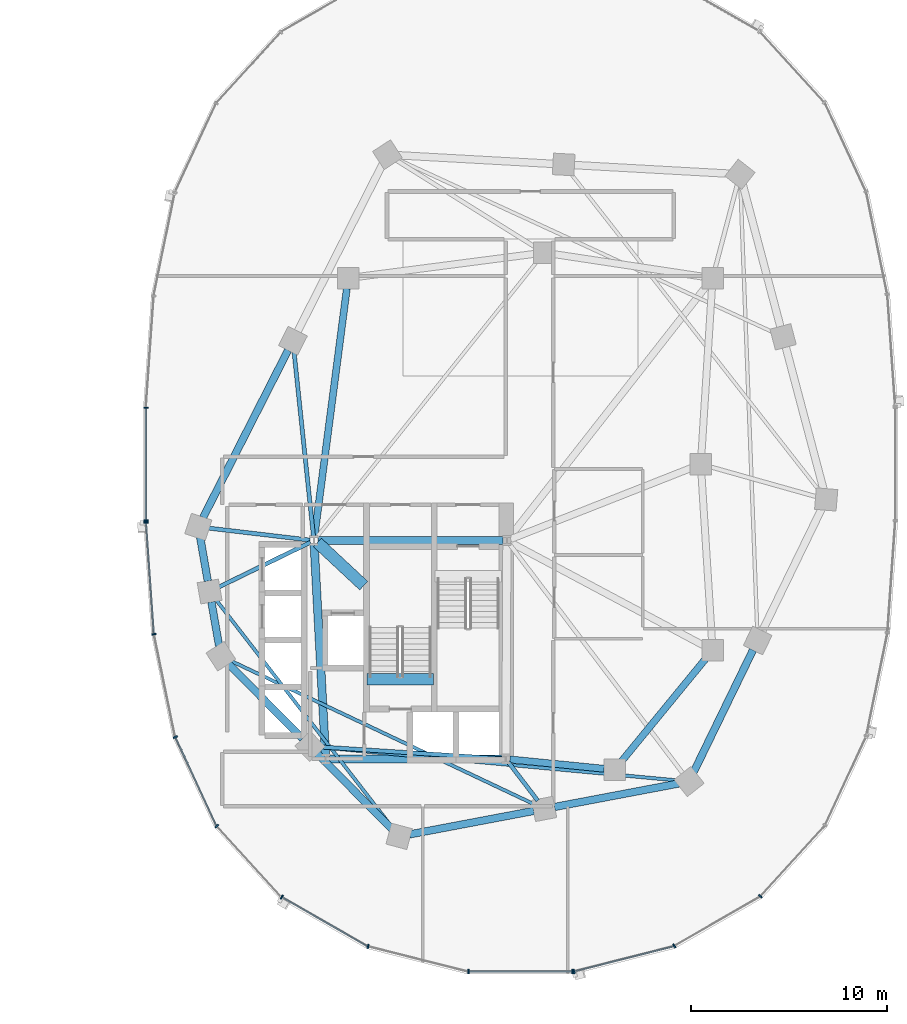
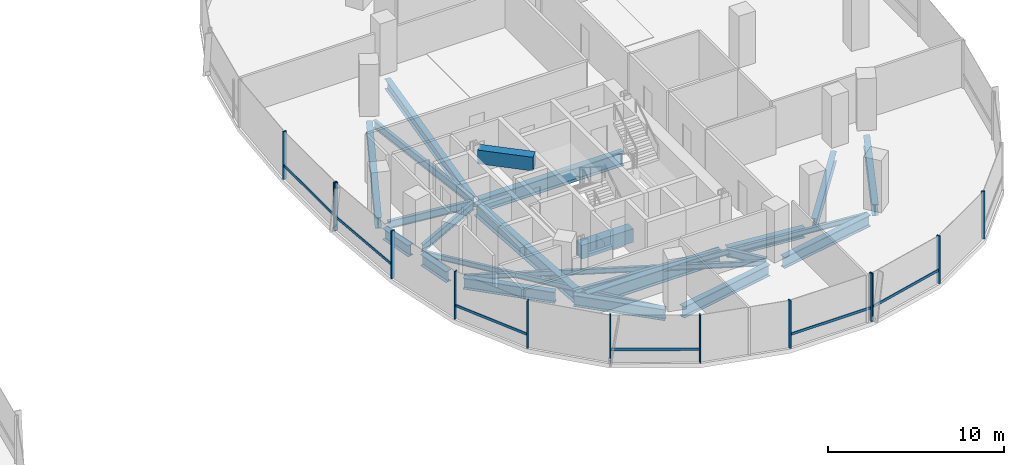
# One storey, part 5 of 21: 24 beams, 19 members, 3 elements without a shape of their own.
"""IFC4 building model written with IfcOpenShell, lengths in metres."""

import ifcopenshell
import ifcopenshell.guid

model = None  # the IFC model being written
_history = None  # IfcOwnerHistory: only IFC2X3 demands one
_inside = {}  # id of a spatial element -> (the spatial element, [elements in it])
_under = {}  # id of a project, library or spatial element -> (it, [spatial elements below it])
_declared = {}  # id of a project -> (the project, [libraries it declares])
_typed = {}  # id of a type object -> (the type object, [elements of that type])
_made_of = {}  # id of a material, layer set ... -> (it, [elements and type objects made of it])


def new_model(schema):
    """Start an empty IFC model of exactly this schema.

    Asked for "IFC4X3", IfcOpenShell would pick the latest addendum, in which some entities
    have other attributes; the version numbers below select the first issue.
    IFC2X3 requires an IfcOwnerHistory on every rooted entity: one is made here for all.
    """
    global model, _history
    if schema == "IFC4X3":
        model = ifcopenshell.file(schema_version=(4, 3, 0, 0))
    else:
        model = ifcopenshell.file(schema=schema)
    _inside.clear()
    _under.clear()
    _declared.clear()
    _typed.clear()
    _made_of.clear()
    _history = None
    if model.schema == "IFC2X3":
        org = make("IfcOrganization", Name="unknown")
        user = make(
            "IfcPersonAndOrganization",
            ThePerson=make("IfcPerson", FamilyName="unknown"),
            TheOrganization=org,
        )
        app = make(
            "IfcApplication",
            ApplicationDeveloper=org,
            Version="unknown",
            ApplicationFullName="unknown",
            ApplicationIdentifier="unknown",
        )
        _history = make(
            "IfcOwnerHistory",
            OwningUser=user,
            OwningApplication=app,
            ChangeAction="ADDED",
            CreationDate=0,
        )
    return model


def make(cls, **values):
    """One entity of the class cls with the attributes given. An attribute that is None is left unset."""
    return model.create_entity(
        cls, **{name: value for name, value in values.items() if value is not None}
    )


def rooted(cls, **values):
    """An entity with a GlobalId (a new one), such as an element, a storey or a relation."""
    return make(cls, GlobalId=ifcopenshell.guid.new(), OwnerHistory=_history, **values)


def si_unit(unit_type, name, prefix=None):
    """IfcSIUnit, for example si_unit("LENGTHUNIT", "METRE", prefix="MILLI")."""
    return make("IfcSIUnit", UnitType=unit_type, Prefix=prefix, Name=name)


def assignment(units):
    """IfcUnitAssignment: the units of a project."""
    return None if units is None else make("IfcUnitAssignment", Units=units)


def point(xyz):
    """IfcCartesianPoint."""
    return None if xyz is None else make("IfcCartesianPoint", Coordinates=xyz)


def direction(xyz):
    """IfcDirection."""
    return None if xyz is None else make("IfcDirection", DirectionRatios=xyz)


def frame(location, z_axis=None, x_axis=None):
    """IfcAxis2Placement3D, a coordinate frame: its origin and axes. An axis left out is left unset."""
    return make(
        "IfcAxis2Placement3D",
        Location=point(location),
        Axis=direction(z_axis),
        RefDirection=direction(x_axis),
    )


def frame_2d(location, x_axis=None):
    """IfcAxis2Placement2D, a coordinate frame in the plane: its origin and x axis."""
    return make(
        "IfcAxis2Placement2D", Location=point(location), RefDirection=direction(x_axis)
    )


def origin():
    """The frame at (0, 0, 0) with its axes left unset."""
    return frame((0.0, 0.0, 0.0))


def origin_2d():
    """The frame at (0, 0) in the plane with its x axis left unset."""
    return frame_2d((0.0, 0.0))


def place(relative_to, where):
    """IfcLocalPlacement: puts the frame where relative to a parent placement (None: the world)."""
    return make(
        "IfcLocalPlacement", PlacementRelTo=relative_to, RelativePlacement=where
    )


def context(
    kind, dimensions, precision=None, world=None, true_north=None, identifier=None
):
    """IfcGeometricRepresentationContext, for example the 3D "Model" context."""
    return make(
        "IfcGeometricRepresentationContext",
        ContextIdentifier=identifier,
        ContextType=kind,
        CoordinateSpaceDimension=dimensions,
        Precision=precision,
        WorldCoordinateSystem=world,
        TrueNorth=true_north,
    )


def subcontext(parent, identifier, kind, view, scale=None):
    """IfcGeometricRepresentationSubContext, for example "Body" below "Model"."""
    return make(
        "IfcGeometricRepresentationSubContext",
        ContextIdentifier=identifier,
        ContextType=kind,
        ParentContext=parent,
        TargetScale=scale,
        TargetView=view,
    )


def project(units=None, contexts=None):
    """IfcProject with its units and contexts."""
    return rooted(
        "IfcProject",
        Name="project",
        RepresentationContexts=contexts,
        UnitsInContext=assignment(units),
    )


def spatial(cls, under=None, at=None, **own):
    """A site, building, storey or space (cls), placed at a placement, below another one or the project."""
    s = rooted(cls, ObjectPlacement=at, **own)
    if under is not None:
        _under.setdefault(under.id(), (under, []))[1].append(s)
    return s


def profile(cls, at=None, kind="AREA", **sizes):
    """A parametric profile (cls). Its sizes go by their IFC names, for example OverallWidth=200.0."""
    return make(cls, ProfileType=kind, Position=at, **sizes)


def rectangle(**sizes):
    """IfcRectangleProfileDef."""
    return profile("IfcRectangleProfileDef", **sizes)


def i_section(**sizes):
    """IfcIShapeProfileDef."""
    return profile("IfcIShapeProfileDef", **sizes)


def extrude(swept, where, along, depth):
    """IfcExtrudedAreaSolid: the profile swept, set in the frame where, extruded along a direction by depth."""
    return make(
        "IfcExtrudedAreaSolid",
        SweptArea=swept,
        Position=where,
        ExtrudedDirection=direction(along),
        Depth=depth,
    )


def shape(context_of_items, identifier, shape_type, items):
    """IfcShapeRepresentation: the items that make up one representation, for example the "Body"."""
    return make(
        "IfcShapeRepresentation",
        ContextOfItems=context_of_items,
        RepresentationIdentifier=identifier,
        RepresentationType=shape_type,
        Items=items,
    )


def material(Name=None, Category=None):
    """IfcMaterial."""
    return make("IfcMaterial", Name=Name, Category=Category)


def material_profile(
    of_material, cross_section, Name=None, Category=None, Priority=None
):
    """IfcMaterialProfile: a cross section and its material."""
    return make(
        "IfcMaterialProfile",
        Name=Name,
        Material=of_material,
        Profile=cross_section,
        Priority=Priority,
        Category=Category,
    )


def profile_set(profiles, Name=None, composite=None):
    """IfcMaterialProfileSet."""
    return make(
        "IfcMaterialProfileSet",
        Name=Name,
        MaterialProfiles=profiles,
        CompositeProfile=composite,
    )


def made_of(thing, what):
    """Note that an element or type object is made of a material, layer set ...; save() writes the relation."""
    if what is not None:
        _made_of.setdefault(what.id(), (what, []))[1].append(thing)
    return thing


def type_object(cls, material=None, **own):
    """A type object (cls), such as IfcWallType, which elements share."""
    return made_of(rooted(cls, **own), material)


def element(
    cls,
    number,
    at=None,
    inside=None,
    cuts=None,
    type_object=None,
    material=None,
    context=None,
    identifier="Body",
    shape_type=None,
    held_by="IfcProductDefinitionShape",
    body=None,
    shapes=None,
    **own,
):
    """One element of the class cls, such as IfcWall. Its Tag is "e" and its number.

    at: its placement. inside: the storey or other place that contains it. cuts: it is an
    opening in that element (IfcRelVoidsElement). A single representation is given by context,
    identifier, shape_type and body (its items); several are given by shapes. held_by: the class
    of the entity that holds the representations. save() writes the other relations.
    """
    e = rooted(cls, Tag="e%d" % number, ObjectPlacement=at, **own)
    if body is not None:
        shapes = [shape(context, identifier, shape_type, body)]
    if shapes is not None:
        e.Representation = make(held_by, Representations=shapes)
    if inside is not None:
        _inside.setdefault(inside.id(), (inside, []))[1].append(e)
    if cuts is not None:
        rooted(
            "IfcRelVoidsElement", RelatingBuildingElement=cuts, RelatedOpeningElement=e
        )
    if type_object is not None:
        _typed.setdefault(type_object.id(), (type_object, []))[1].append(e)
    return made_of(e, material)


def aggregate(whole, parts):
    """IfcRelAggregates: a whole, such as a stair, and the parts it consists of."""
    return rooted("IfcRelAggregates", RelatingObject=whole, RelatedObjects=parts)


def save(model, path):
    """Write the relations noted so far, then the file.

    IfcRelAggregates (storeys below a building ...), IfcRelContainedInSpatialStructure (elements
    in a storey), IfcRelDefinesByType, IfcRelAssociatesMaterial and IfcRelDeclares: one each for
    every whole, place, type object, material and project.
    """
    for whole, parts in _under.values():
        aggregate(whole, parts)
    for where, things in _inside.values():
        rooted(
            "IfcRelContainedInSpatialStructure",
            RelatedElements=things,
            RelatingStructure=where,
        )
    for kind, things in _typed.values():
        rooted("IfcRelDefinesByType", RelatedObjects=things, RelatingType=kind)
    for what, things in _made_of.values():
        rooted("IfcRelAssociatesMaterial", RelatedObjects=things, RelatingMaterial=what)
    for by, libraries in _declared.values():
        rooted("IfcRelDeclares", RelatingContext=by, RelatedDefinitions=libraries)
    model.write(path)


model = new_model("IFC4")

# Units and contexts
model_context = context("Model", 3, precision=1e-05, world=origin(), true_north=direction((0.0, 1.0)))
body_context = subcontext(model_context, "Body", "Model", "MODEL_VIEW")
ifc_project = project(units=[si_unit("LENGTHUNIT", "METRE"), si_unit("AREAUNIT", "SQUARE_METRE"), si_unit("VOLUMEUNIT", "CUBIC_METRE"), si_unit("PLANEANGLEUNIT", "RADIAN"), si_unit("MASSUNIT", "GRAM", prefix="KILO"), si_unit("THERMODYNAMICTEMPERATUREUNIT", "KELVIN"), si_unit("POWERUNIT", "WATT")], contexts=[model_context])

# Site, building, storey
site_placement = place(None, origin())
site = spatial("IfcSite", under=ifc_project, at=site_placement, CompositionType="ELEMENT")
building_placement = place(site_placement, origin())
building = spatial("IfcBuilding", under=site, at=building_placement, Name="Cundina Bronze Exchange", CompositionType="ELEMENT")
storey_placement = place(building_placement, frame((0.0, 0.0, 103.39990234375)))
storey = spatial("IfcBuildingStorey", under=building, at=storey_placement, Name="L26", CompositionType="ELEMENT", Elevation=103.39990234375)

# Beams
ifc_material_1 = material(Name="Concrete C60/75", Category="concrete")
ifc_material_profile_1 = material_profile(ifc_material_1, rectangle(XDim=0.60009765625, YDim=0.949951171875, at=origin_2d()), Name="RC600X950", Category="concrete")
ifc_profile_set_1 = profile_set([ifc_material_profile_1], Name="Concrete C60/75")
beam_type_1 = type_object("IfcBeamType", Name="BM-COUP-RC950", PredefinedType="LINTEL", material=ifc_profile_set_1)
beam_1_placement = place(storey_placement, frame((24.159912109375, -10.97998046875, -0.474853515625), z_axis=(1.0, 0.0, 0.0), x_axis=(0.0, 1.0, 0.0)))
element("IfcBeam", 1, at=beam_1_placement, inside=storey, type_object=beam_type_1, Name="L26 Stair E2 Landing Header Beam", PredefinedType="LINTEL", context=body_context, shape_type="SweptSolid", body=[
    extrude(rectangle(XDim=0.60009765625, YDim=0.949951171875, at=origin_2d()), origin(), (0.0, 0.0, 1.0), 3.400146484375),
])
beam_2_placement = place(storey_placement, frame((21.6298828125, -4.0, 2.8251953125), z_axis=(0.731490439815, -0.681851696822, 0.0), x_axis=(0.681851696822, 0.731490439815, 0.0)))
element("IfcBeam", 2, at=beam_2_placement, inside=storey, type_object=beam_type_1, Name="L26 E Core Shear Coupling Lintel Beam", PredefinedType="LINTEL", context=body_context, shape_type="SweptSolid", body=[
    extrude(rectangle(XDim=0.60009765625, YDim=0.949951171875, at=origin_2d()), origin(), (0.0, 0.0, 1.0), 3.226318359375),
])
ifc_material_2 = material(Name="Steel ASTM A992 Grade 50", Category="steel")
ifc_material_profile_2 = material_profile(ifc_material_2, i_section(OverallWidth=0.2099609375, OverallDepth=0.532958984375, WebThickness=0.01025390625, FlangeThickness=0.015625, FilletRadius=0.013916015625, at=origin_2d()), Name="W21X62", Category="steel")
ifc_profile_set_2 = profile_set([ifc_material_profile_2], Name="Steel ASTM A992 Grade 50")
beam_type_2 = type_object("IfcBeamType", Name="BM-FLR-W21B", PredefinedType="BEAM", material=ifc_profile_set_2)
beam_3_placement = place(storey_placement, frame((21.247314453125, -3.8759765625, -0.56640625), z_axis=(-0.993035701683, 0.117813815752, 0.0), x_axis=(-0.117813815752, -0.993035701683, 0.0)))
element("IfcBeam", 3, at=beam_3_placement, inside=storey, type_object=beam_type_2, Name="L26 Leg E Chordal Floor Beam 00", PredefinedType="BEAM", context=body_context, shape_type="SweptSolid", body=[
    extrude(i_section(OverallWidth=0.2099609375, OverallDepth=0.532958984375, WebThickness=0.01025390625, FlangeThickness=0.015625, FilletRadius=0.013916015625, at=origin_2d()), origin(), (0.0, 0.0, 1.0), 5.19921875),
])
beam_4_placement = place(storey_placement, frame((21.2666015625, -3.989501953125, -0.56640625), z_axis=(-0.898607246385, -0.438753936443, 0.0), x_axis=(0.438753936443, -0.898607246385, 0.0)))
element("IfcBeam", 4, at=beam_4_placement, inside=storey, type_object=beam_type_2, Name="L26 Leg E Chordal Floor Beam 01", PredefinedType="BEAM", context=body_context, shape_type="SweptSolid", body=[
    extrude(i_section(OverallWidth=0.2099609375, OverallDepth=0.532958984375, WebThickness=0.01025390625, FlangeThickness=0.015625, FilletRadius=0.013916015625, at=origin_2d()), origin(), (0.0, 0.0, 1.0), 5.183837890625),
])
beam_5_placement = place(storey_placement, frame((31.04638671875, -15.036865234375, -0.56640625), z_axis=(-0.997892901568, 0.064882640211, 0.0), x_axis=(-0.064882640211, -0.997892901568, 0.0)))
element("IfcBeam", 5, at=beam_5_placement, inside=storey, type_object=beam_type_2, Name="L26 Leg E Chordal Floor Beam 03", PredefinedType="BEAM", context=body_context, shape_type="SweptSolid", body=[
    extrude(i_section(OverallWidth=0.2099609375, OverallDepth=0.532958984375, WebThickness=0.01025390625, FlangeThickness=0.015625, FilletRadius=0.013916015625, at=origin_2d()), origin(), (0.0, 0.0, 1.0), 9.279052734375),
])
beam_6_placement = place(storey_placement, frame((31.373779296875, -15.2119140625, -0.56640625), z_axis=(0.607490490457, -0.79432695032, 0.0), x_axis=(0.79432695032, 0.607490490457, 0.0)))
element("IfcBeam", 6, at=beam_6_placement, inside=storey, type_object=beam_type_2, Name="L26 Leg E Chordal Floor Beam 05", PredefinedType="BEAM", context=body_context, shape_type="SweptSolid", body=[
    extrude(i_section(OverallWidth=0.2099609375, OverallDepth=0.532958984375, WebThickness=0.01025390625, FlangeThickness=0.015625, FilletRadius=0.013916015625, at=origin_2d()), origin(), (0.0, 0.0, 1.0), 2.46826171875),
])
beam_7_placement = place(storey_placement, frame((21.4287109375, -3.697021484375, -0.56640625), z_axis=(-0.104822364957, 0.994490961148, 0.0), x_axis=(-0.994490961148, -0.104822364957, 0.0)))
element("IfcBeam", 7, at=beam_7_placement, inside=storey, type_object=beam_type_2, Name="L26 Leg E Chordal Floor Beam 13", PredefinedType="BEAM", context=body_context, shape_type="SweptSolid", body=[
    extrude(i_section(OverallWidth=0.2099609375, OverallDepth=0.532958984375, WebThickness=0.01025390625, FlangeThickness=0.015625, FilletRadius=0.013916015625, at=origin_2d()), origin(), (0.0, 0.0, 1.0), 9.514404296875),
])
ifc_material_profile_3 = material_profile(ifc_material_2, i_section(OverallWidth=0.172119140625, OverallDepth=0.35791015625, WebThickness=0.0078125, FlangeThickness=0.01318359375, FilletRadius=0.010009765625, at=origin_2d()), Name="W14X38", Category="steel")
ifc_profile_set_3 = profile_set([ifc_material_profile_3], Name="Steel ASTM A992 Grade 50")
beam_type_3 = type_object("IfcBeamType", Name="BM-JST-W14", PredefinedType="JOIST", material=ifc_profile_set_3)
beam_8_placement = place(storey_placement, frame((16.454345703125, -6.92529296875, -0.47900390625), z_axis=(0.612065218806, -0.790807288742, 0.0), x_axis=(0.790807288742, 0.612065218806, 0.0)))
element("IfcBeam", 8, at=beam_8_placement, inside=storey, type_object=beam_type_3, Name="L26 Leg E Lobe Floor Joist 01-04", PredefinedType="JOIST", context=body_context, shape_type="SweptSolid", body=[
    extrude(i_section(OverallWidth=0.172119140625, OverallDepth=0.35791015625, WebThickness=0.0078125, FlangeThickness=0.01318359375, FilletRadius=0.010009765625, at=origin_2d()), origin(), (0.0, 0.0, 1.0), 14.73095703125),
])
beam_9_placement = place(storey_placement, frame((17.186279296875, -10.02978515625, -0.47900390625), z_axis=(0.904069270633, -0.427385954259, 0.0), x_axis=(0.427385954259, 0.904069270633, 0.0)))
element("IfcBeam", 9, at=beam_9_placement, inside=storey, type_object=beam_type_3, Name="L26 Leg E Lobe Floor Joist 02-05", PredefinedType="JOIST", context=body_context, shape_type="SweptSolid", body=[
    extrude(i_section(OverallWidth=0.172119140625, OverallDepth=0.35791015625, WebThickness=0.0078125, FlangeThickness=0.01318359375, FilletRadius=0.010009765625, at=origin_2d()), origin(), (0.0, 0.0, 1.0), 17.175048828125),
])
beam_10_placement = place(storey_placement, frame((21.78564453125, -14.44970703125, -0.47900390625), z_axis=(0.995700674022, -0.092629194921, 0.0), x_axis=(0.092629194921, 0.995700674022, 0.0)))
element("IfcBeam", 10, at=beam_10_placement, inside=storey, type_object=beam_type_3, Name="L26 Leg E Lobe Floor Joist 03-06", PredefinedType="JOIST", context=body_context, shape_type="SweptSolid", body=[
    extrude(i_section(OverallWidth=0.172119140625, OverallDepth=0.35791015625, WebThickness=0.0078125, FlangeThickness=0.01318359375, FilletRadius=0.010009765625, at=origin_2d()), origin(), (0.0, 0.0, 1.0), 18.357421875),
])
ifc_material_profile_4 = material_profile(ifc_material_2, i_section(OverallWidth=0.35498046875, OverallDepth=0.695068359375, WebThickness=0.015380859375, FlangeThickness=0.02490234375, FilletRadius=0.01806640625, at=origin_2d()), Name="W27X146", Category="steel")
ifc_profile_set_4 = profile_set([ifc_material_profile_4], Name="Steel ASTM A992 Grade 50")
beam_type_4 = type_object("IfcBeamType", Name="BM-RING-W27", PredefinedType="USERDEFINED", material=ifc_profile_set_4)
beam_11_placement = place(storey_placement, frame((31.452880859375, -15.070068359375, -0.6474609375), z_axis=(0.995126271817, -0.098608839051, 0.0), x_axis=(0.098608839051, 0.995126271817, 0.0)))
element("IfcBeam", 11, at=beam_11_placement, inside=storey, type_object=beam_type_4, Name="L26 E Inner Structural Ring Girder 01", ObjectType="GIRDER", PredefinedType="USERDEFINED", context=body_context, shape_type="SweptSolid", body=[
    extrude(i_section(OverallWidth=0.35498046875, OverallDepth=0.695068359375, WebThickness=0.015380859375, FlangeThickness=0.02490234375, FilletRadius=0.01806640625, at=origin_2d()), origin(), (0.0, 0.0, 1.0), 4.83544921875),
])
beam_12_placement = place(storey_placement, frame((37.14111328125, -15.183837890625, -0.6474609375), z_axis=(0.633926549035, 0.773393257295, 0.0), x_axis=(-0.773393257295, 0.633926549035, 0.0)))
element("IfcBeam", 12, at=beam_12_placement, inside=storey, type_object=beam_type_4, Name="L26 E Inner Structural Ring Girder 02", ObjectType="GIRDER", PredefinedType="USERDEFINED", context=body_context, shape_type="SweptSolid", body=[
    extrude(i_section(OverallWidth=0.35498046875, OverallDepth=0.695068359375, WebThickness=0.015380859375, FlangeThickness=0.02490234375, FilletRadius=0.01806640625, at=origin_2d()), origin(), (0.0, 0.0, 1.0), 6.811279296875),
])
beam_13_placement = place(storey_placement, frame((23.13037109375, 8.966552734375, -0.6474609375), z_axis=(-0.129507526533, -0.99157843894, 0.0), x_axis=(0.99157843894, -0.129507526533, 0.0)))
element("IfcBeam", 13, at=beam_13_placement, inside=storey, type_object=beam_type_4, Name="L26 E Inner Structural Ring Girder 07", ObjectType="GIRDER", PredefinedType="USERDEFINED", context=body_context, shape_type="SweptSolid", body=[
    extrude(i_section(OverallWidth=0.35498046875, OverallDepth=0.695068359375, WebThickness=0.015380859375, FlangeThickness=0.02490234375, FilletRadius=0.01806640625, at=origin_2d()), origin(), (0.0, 0.0, 1.0), 12.77197265625),
])
ifc_material_profile_5 = material_profile(ifc_material_2, i_section(OverallWidth=0.381103515625, OverallDepth=0.77294921875, WebThickness=0.0166015625, FlangeThickness=0.027099609375, FilletRadius=0.01904296875, at=origin_2d()), Name="W30X173", Category="steel")
ifc_profile_set_5 = profile_set([ifc_material_profile_5], Name="Steel ASTM A992 Grade 50")
beam_type_5 = type_object("IfcBeamType", Name="BM-RING-W30", PredefinedType="USERDEFINED", material=ifc_profile_set_5)
for number, where, z_axis, x_axis, name in (
    (14, (15.642333984375, -3.72998046875, -0.6865234375), (0.171690078326, -0.985151012284, 0.0), (0.985151012284, 0.171690078326, 0.0), "L26 E Perimeter Ring Girder 00"),
    (15, (16.21728515625, -7.030029296875, -0.6865234375), (0.171690078326, -0.985151012284, 0.0), (0.985151012284, 0.171690078326, 0.0), "L26 E Perimeter Ring Girder 01"),
):
    element("IfcBeam", number, at=place(storey_placement, frame(where, z_axis=z_axis, x_axis=x_axis)), inside=storey, type_object=beam_type_5, Name=name, ObjectType="GIRDER", PredefinedType="USERDEFINED", context=body_context, shape_type="SweptSolid", body=[
        extrude(i_section(OverallWidth=0.381103515625, OverallDepth=0.77294921875, WebThickness=0.0166015625, FlangeThickness=0.027099609375, FilletRadius=0.01904296875, at=origin_2d()), origin(), (0.0, 0.0, 1.0), 2.273681640625),
    ])
for number, where, z_axis, x_axis, name in (
    (16, (17.078369140625, -10.1826171875, -0.6865234375), (0.703226342126, -0.7109660412, 0.0), (0.7109660412, 0.703226342126, 0.0), "L26 E Perimeter Ring Girder 02"),
    (17, (21.62841796875, -14.782470703125, -0.6865234375), (0.703226342126, -0.7109660412, 0.0), (0.7109660412, 0.703226342126, 0.0), "L26 E Perimeter Ring Girder 03"),
):
    element("IfcBeam", number, at=place(storey_placement, frame(where, z_axis=z_axis, x_axis=x_axis)), inside=storey, type_object=beam_type_5, Name=name, ObjectType="GIRDER", PredefinedType="USERDEFINED", context=body_context, shape_type="SweptSolid", body=[
        extrude(i_section(OverallWidth=0.381103515625, OverallDepth=0.77294921875, WebThickness=0.0166015625, FlangeThickness=0.027099609375, FilletRadius=0.01904296875, at=origin_2d()), origin(), (0.0, 0.0, 1.0), 5.39404296875),
    ])
for number, where, z_axis, x_axis, name in (
    (18, (26.32861328125, -18.89990234375, -0.6865234375), (0.98257117919, 0.185886733861, 0.0), (-0.185886733861, 0.98257117919, 0.0), "L26 E Perimeter Ring Girder 04"),
    (19, (33.728515625, -17.5, -0.6865234375), (0.98257117919, 0.185886733861, 0.0), (-0.185886733861, 0.98257117919, 0.0), "L26 E Perimeter Ring Girder 05"),
):
    element("IfcBeam", number, at=place(storey_placement, frame(where, z_axis=z_axis, x_axis=x_axis)), inside=storey, type_object=beam_type_5, Name=name, ObjectType="GIRDER", PredefinedType="USERDEFINED", context=body_context, shape_type="SweptSolid", body=[
        extrude(i_section(OverallWidth=0.381103515625, OverallDepth=0.77294921875, WebThickness=0.0166015625, FlangeThickness=0.027099609375, FilletRadius=0.01904296875, at=origin_2d()), origin(), (0.0, 0.0, 1.0), 6.455322265625),
    ])
beam_14_placement = place(storey_placement, frame((40.835205078125, -15.716064453125, -0.6865234375), z_axis=(0.437193894283, 0.899367276924, 0.0), x_axis=(-0.899367276924, 0.437193894283, 0.0)))
element("IfcBeam", 20, at=beam_14_placement, inside=storey, type_object=beam_type_5, Name="L26 E Perimeter Ring Girder 06", ObjectType="GIRDER", PredefinedType="USERDEFINED", context=body_context, shape_type="SweptSolid", body=[
    extrude(i_section(OverallWidth=0.381103515625, OverallDepth=0.77294921875, WebThickness=0.0166015625, FlangeThickness=0.027099609375, FilletRadius=0.01904296875, at=origin_2d()), origin(), (0.0, 0.0, 1.0), 6.929443359375),
])
beam_15_placement = place(storey_placement, frame((20.13134765625, 5.8203125, -0.6865234375), z_axis=(-0.452832332744, -0.891595692241, 0.0), x_axis=(0.891595692241, -0.452832332744, 0.0)))
element("IfcBeam", 21, at=beam_15_placement, inside=storey, type_object=beam_type_5, Name="L26 E Perimeter Ring Girder 13", ObjectType="GIRDER", PredefinedType="USERDEFINED", context=body_context, shape_type="SweptSolid", body=[
    extrude(i_section(OverallWidth=0.381103515625, OverallDepth=0.77294921875, WebThickness=0.0166015625, FlangeThickness=0.027099609375, FilletRadius=0.01904296875, at=origin_2d()), origin(), (0.0, 0.0, 1.0), 9.578857421875),
])
ifc_material_profile_6 = material_profile(ifc_material_2, i_section(OverallWidth=0.41796875, OverallDepth=0.927001953125, WebThickness=0.019287109375, FlangeThickness=0.031982421875, FilletRadius=0.02392578125, at=origin_2d()), Name="W36X231", Category="steel")
ifc_profile_set_6 = profile_set([ifc_material_profile_6], Name="Steel ASTM A992 Grade 50")
beam_type_6 = type_object("IfcBeamType", Name="BM-WRN-W36B", PredefinedType="USERDEFINED", material=ifc_profile_set_6)
beam_16_placement = place(storey_placement, frame((31.095947265625, -3.89990234375, -0.763427734375), z_axis=(-1.0, 0.0, 0.0), x_axis=(0.0, -1.0, 0.0)))
element("IfcBeam", 22, at=beam_16_placement, inside=storey, type_object=beam_type_6, Name="L26 E Core Perimeter Tie Girder 1", ObjectType="GIRDER", PredefinedType="USERDEFINED", context=body_context, shape_type="SweptSolid", body=[
    extrude(i_section(OverallWidth=0.41796875, OverallDepth=0.927001953125, WebThickness=0.019287109375, FlangeThickness=0.031982421875, FilletRadius=0.02392578125, at=origin_2d()), origin(), (0.0, 0.0, 1.0), 9.44189453125),
])
beam_17_placement = place(storey_placement, frame((21.4609375, -4.103759765625, -0.763427734375), z_axis=(0.053739193498, -0.998555005537, 0.0), x_axis=(0.998555005537, 0.053739193498, 0.0)))
element("IfcBeam", 23, at=beam_17_placement, inside=storey, type_object=beam_type_6, Name="L26 E Core Perimeter Tie Girder 2", ObjectType="GIRDER", PredefinedType="USERDEFINED", context=body_context, shape_type="SweptSolid", body=[
    extrude(i_section(OverallWidth=0.41796875, OverallDepth=0.927001953125, WebThickness=0.019287109375, FlangeThickness=0.031982421875, FilletRadius=0.02392578125, at=origin_2d()), origin(), (0.0, 0.0, 1.0), 10.758056640625),
])
beam_18_placement = place(storey_placement, frame((22.25390625, -15.050048828125, -0.763427734375), z_axis=(1.0, 0.0, 0.0), x_axis=(0.0, 1.0, 0.0)))
element("IfcBeam", 24, at=beam_18_placement, inside=storey, type_object=beam_type_6, Name="L26 E Core Perimeter Tie Girder 3", ObjectType="GIRDER", PredefinedType="USERDEFINED", context=body_context, shape_type="SweptSolid", body=[
    extrude(i_section(OverallWidth=0.41796875, OverallDepth=0.927001953125, WebThickness=0.019287109375, FlangeThickness=0.031982421875, FilletRadius=0.02392578125, at=origin_2d()), origin(), (0.0, 0.0, 1.0), 8.7919921875),
])

# Curtain wall, members
ifc_material_3 = material(Name="Anodised Bronze Aluminium 6063-T6", Category="aluminium")
curtain_wall_type = type_object("IfcCurtainWallType", Name="CWS-TRD-MID", PredefinedType="NOTDEFINED", material=ifc_material_3)
curtain_wall_1_placement = place(storey_placement, origin())
curtain_wall_1 = element("IfcCurtainWall", 25, at=curtain_wall_1_placement, inside=storey, type_object=curtain_wall_type, Name="L26 CW-03 Curtain Wall Run CWR-L26-E2", PredefinedType="NOTDEFINED")
ifc_material_profile_7 = material_profile(ifc_material_3, rectangle(XDim=0.074951171875, YDim=0.219970703125, at=origin_2d()), Name="AL75X220", Category="aluminium")
ifc_profile_set_7 = profile_set([ifc_material_profile_7], Name="Anodised Bronze Aluminium 6063-T6")
member_type_1 = type_object("IfcMemberType", Name="CWM-MUL-220", PredefinedType="MULLION", material=ifc_profile_set_7)
member_1_placement = place(storey_placement, frame((12.8720703125, 2.880615234375, 0.0), z_axis=(0.0, 0.0, 1.0), x_axis=(0.0, -1.0, 0.0)))
member_1 = element("IfcMember", 26, at=member_1_placement, type_object=member_type_1, Name="CW-03 Mullion 7", PredefinedType="MULLION", context=body_context, shape_type="SweptSolid", body=[
    extrude(rectangle(XDim=0.074951171875, YDim=0.219970703125, at=origin_2d()), origin(), (0.0, 0.0, 1.0), 3.300048828125),
])
member_2_placement = place(storey_placement, frame((12.8720703125, -2.880615234375, 0.0), z_axis=(0.0, 0.0, 1.0), x_axis=(0.0, -1.0, 0.0)))
member_2 = element("IfcMember", 27, at=member_2_placement, type_object=member_type_1, Name="CW-03 End Mullion", PredefinedType="MULLION", context=body_context, shape_type="SweptSolid", body=[
    extrude(rectangle(XDim=0.074951171875, YDim=0.219970703125, at=origin_2d()), origin(), (0.0, 0.0, 1.0), 3.300048828125),
])

curtain_wall_2_placement = place(storey_placement, origin())
curtain_wall_2 = element("IfcCurtainWall", 28, at=curtain_wall_2_placement, inside=storey, type_object=curtain_wall_type, Name="L26 CW-03 Curtain Wall Run CWR-L26-E3", PredefinedType="NOTDEFINED")
member_3_placement = place(storey_placement, frame((12.87548828125, -2.976318359375, 0.0), z_axis=(0.0, 0.0, 1.0), x_axis=(0.070278787473, -0.997527389113, 0.0)))
member_3 = element("IfcMember", 29, at=member_3_placement, type_object=member_type_1, Name="CW-03 Mullion 1", PredefinedType="MULLION", context=body_context, shape_type="SweptSolid", body=[
    extrude(rectangle(XDim=0.074951171875, YDim=0.219970703125, at=origin_2d()), origin(), (0.0, 0.0, 1.0), 3.300048828125),
])
member_4_placement = place(storey_placement, frame((13.282958984375, -8.67822265625, 0.0), z_axis=(0.0, 0.0, 1.0), x_axis=(0.201419845156, -0.979505000486, 0.0)))
member_4 = element("IfcMember", 30, at=member_4_placement, type_object=member_type_1, Name="CW-03 Mullion 2", PredefinedType="MULLION", context=body_context, shape_type="SweptSolid", body=[
    extrude(rectangle(XDim=0.074951171875, YDim=0.219970703125, at=origin_2d()), origin(), (0.0, 0.0, 1.0), 3.300048828125),
])
member_5_placement = place(storey_placement, frame((14.3720703125, -13.931884765625, 0.0), z_axis=(0.0, 0.0, 1.0), x_axis=(0.42087749791, -0.907117485088, 0.0)))
member_5 = element("IfcMember", 31, at=member_5_placement, type_object=member_type_1, Name="CW-03 Mullion 3", PredefinedType="MULLION", context=body_context, shape_type="SweptSolid", body=[
    extrude(rectangle(XDim=0.074951171875, YDim=0.219970703125, at=origin_2d()), origin(), (0.0, 0.0, 1.0), 3.300048828125),
])
member_6_placement = place(storey_placement, frame((16.491455078125, -18.47705078125, 0.0), z_axis=(0.0, 0.0, 1.0), x_axis=(0.674302387584, -0.738455340626, 0.0)))
member_6 = element("IfcMember", 32, at=member_6_placement, type_object=member_type_1, Name="CW-03 Mullion 4", PredefinedType="MULLION", context=body_context, shape_type="SweptSolid", body=[
    extrude(rectangle(XDim=0.074951171875, YDim=0.219970703125, at=origin_2d()), origin(), (0.0, 0.0, 1.0), 3.300048828125),
])
member_7_placement = place(storey_placement, frame((19.810302734375, -22.097412109375, 0.0), z_axis=(0.0, 0.0, 1.0), x_axis=(0.867070701164, -0.498185105339, 0.0)))
member_7 = element("IfcMember", 33, at=member_7_placement, type_object=member_type_1, Name="CW-03 Mullion 5", PredefinedType="MULLION", context=body_context, shape_type="SweptSolid", body=[
    extrude(rectangle(XDim=0.074951171875, YDim=0.219970703125, at=origin_2d()), origin(), (0.0, 0.0, 1.0), 3.300048828125),
])
member_8_placement = place(storey_placement, frame((24.21484375, -24.61669921875, 0.0), z_axis=(0.0, 0.0, 1.0), x_axis=(0.969488149345, -0.245138182011, 0.0)))
member_8 = element("IfcMember", 34, at=member_8_placement, type_object=member_type_1, Name="CW-03 Mullion 6", PredefinedType="MULLION", context=body_context, shape_type="SweptSolid", body=[
    extrude(rectangle(XDim=0.074951171875, YDim=0.219970703125, at=origin_2d()), origin(), (0.0, 0.0, 1.0), 3.300048828125),
])
member_9_placement = place(storey_placement, frame((29.345458984375, -25.905029296875, 0.0), z_axis=(0.0, 0.0, 1.0), x_axis=(1.0, 0.0, 0.0)))
member_9 = element("IfcMember", 35, at=member_9_placement, type_object=member_type_1, Name="CW-03 Mullion 7", PredefinedType="MULLION", context=body_context, shape_type="SweptSolid", body=[
    extrude(rectangle(XDim=0.074951171875, YDim=0.219970703125, at=origin_2d()), origin(), (0.0, 0.0, 1.0), 3.300048828125),
])
member_10_placement = place(storey_placement, frame((34.654541015625, -25.905029296875, 0.0), z_axis=(0.0, 0.0, 1.0), x_axis=(1.0, 0.0, 0.0)))
member_10 = element("IfcMember", 36, at=member_10_placement, type_object=member_type_1, Name="CW-03 End Mullion", PredefinedType="MULLION", context=body_context, shape_type="SweptSolid", body=[
    extrude(rectangle(XDim=0.074951171875, YDim=0.219970703125, at=origin_2d()), origin(), (0.0, 0.0, 1.0), 3.300048828125),
])

curtain_wall_3_placement = place(storey_placement, origin())
curtain_wall_3 = element("IfcCurtainWall", 37, at=curtain_wall_3_placement, inside=storey, type_object=curtain_wall_type, Name="L26 CW-03 Curtain Wall Run CWR-L26-E4", PredefinedType="NOTDEFINED")
member_11_placement = place(storey_placement, frame((34.72607421875, -25.89599609375, 0.0), z_axis=(0.0, 0.0, 1.0), x_axis=(0.969488149345, 0.245138182011, 0.0)))
member_11 = element("IfcMember", 38, at=member_11_placement, type_object=member_type_1, Name="CW-03 Mullion 1", PredefinedType="MULLION", context=body_context, shape_type="SweptSolid", body=[
    extrude(rectangle(XDim=0.074951171875, YDim=0.219970703125, at=origin_2d()), origin(), (0.0, 0.0, 1.0), 3.300048828125),
])
member_12_placement = place(storey_placement, frame((39.848876953125, -24.591064453125, 0.0), z_axis=(0.0, 0.0, 1.0), x_axis=(0.867070701164, 0.498185105339, 0.0)))
member_12 = element("IfcMember", 39, at=member_12_placement, type_object=member_type_1, Name="CW-03 Mullion 2", PredefinedType="MULLION", context=body_context, shape_type="SweptSolid", body=[
    extrude(rectangle(XDim=0.074951171875, YDim=0.219970703125, at=origin_2d()), origin(), (0.0, 0.0, 1.0), 3.300048828125),
])
member_13_placement = place(storey_placement, frame((44.239501953125, -22.0576171875, 0.0), z_axis=(0.0, 0.0, 1.0), x_axis=(0.674302387584, 0.738455340626, 0.0)))
member_13 = element("IfcMember", 40, at=member_13_placement, type_object=member_type_1, Name="CW-03 Mullion 3", PredefinedType="MULLION", context=body_context, shape_type="SweptSolid", body=[
    extrude(rectangle(XDim=0.074951171875, YDim=0.219970703125, at=origin_2d()), origin(), (0.0, 0.0, 1.0), 3.300048828125),
])

# Member
ifc_material_profile_8 = material_profile(ifc_material_3, rectangle(XDim=0.070068359375, YDim=0.179931640625, at=origin_2d()), Name="AL70X180", Category="aluminium")
ifc_profile_set_8 = profile_set([ifc_material_profile_8], Name="Anodised Bronze Aluminium 6063-T6")
member_type_2 = type_object("IfcMemberType", Name="CWM-TRN-180", PredefinedType="USERDEFINED", material=ifc_profile_set_8)
member_14_placement = place(storey_placement, frame((12.8720703125, 2.839111328125, 0.920166015625), z_axis=(0.0, -1.0, 0.0), x_axis=(1.0, 0.0, 0.0)))
member_14 = element("IfcMember", 41, at=member_14_placement, type_object=member_type_2, Name="CW-03 Spandrel Transom 7", ObjectType="TRANSOM", PredefinedType="USERDEFINED", context=body_context, shape_type="SweptSolid", body=[
    extrude(rectangle(XDim=0.070068359375, YDim=0.179931640625, at=origin_2d()), origin(), (0.0, 0.0, 1.0), 5.67822265625),
])

aggregate(curtain_wall_1, [member_1, member_2, member_14])

member_15_placement = place(storey_placement, frame((12.87841796875, -3.017333984375, 0.920166015625), z_axis=(0.070260714471, -0.997528662246, 0.0), x_axis=(0.997528662246, 0.070260714471, 0.0)))
member_15 = element("IfcMember", 42, at=member_15_placement, type_object=member_type_2, Name="CW-03 Spandrel Transom 1", ObjectType="TRANSOM", PredefinedType="USERDEFINED", context=body_context, shape_type="SweptSolid", body=[
    extrude(rectangle(XDim=0.070068359375, YDim=0.179931640625, at=origin_2d()), origin(), (0.0, 0.0, 1.0), 5.629150390625),
])

member_16_placement = place(storey_placement, frame((14.389404296875, -13.96923828125, 0.920166015625), z_axis=(0.420811422796, -0.907148139195, 0.0), x_axis=(0.907148139195, 0.420811422796, 0.0)))
member_16 = element("IfcMember", 43, at=member_16_placement, type_object=member_type_2, Name="CW-03 Spandrel Transom 3", ObjectType="TRANSOM", PredefinedType="USERDEFINED", context=body_context, shape_type="SweptSolid", body=[
    extrude(rectangle(XDim=0.070068359375, YDim=0.179931640625, at=origin_2d()), origin(), (0.0, 0.0, 1.0), 4.95166015625),
])

member_17_placement = place(storey_placement, frame((19.845947265625, -22.117919921875, 0.920166015625), z_axis=(0.867097475651, -0.498138502546, 0.0), x_axis=(0.498138502546, 0.867097475651, 0.0)))
member_17 = element("IfcMember", 44, at=member_17_placement, type_object=member_type_2, Name="CW-03 Spandrel Transom 5", ObjectType="TRANSOM", PredefinedType="USERDEFINED", context=body_context, shape_type="SweptSolid", body=[
    extrude(rectangle(XDim=0.070068359375, YDim=0.179931640625, at=origin_2d()), origin(), (0.0, 0.0, 1.0), 5.00634765625),
])

member_18_placement = place(storey_placement, frame((29.38671875, -25.905029296875, 0.920166015625), z_axis=(1.0, 0.0, 0.0), x_axis=(0.0, 1.0, 0.0)))
member_18 = element("IfcMember", 45, at=member_18_placement, type_object=member_type_2, Name="CW-03 Spandrel Transom 7", ObjectType="TRANSOM", PredefinedType="USERDEFINED", context=body_context, shape_type="SweptSolid", body=[
    extrude(rectangle(XDim=0.070068359375, YDim=0.179931640625, at=origin_2d()), origin(), (0.0, 0.0, 1.0), 5.2265625),
])

aggregate(curtain_wall_2, [member_3, member_15, member_4, member_5, member_16, member_6, member_7, member_17, member_8, member_9, member_10, member_18])

member_19_placement = place(storey_placement, frame((34.76611328125, -25.885986328125, 0.920166015625), z_axis=(0.969483968866, 0.245154714644, 0.0), x_axis=(-0.245154714644, 0.969483968866, 0.0)))
member_19 = element("IfcMember", 46, at=member_19_placement, type_object=member_type_2, Name="CW-03 Spandrel Transom 1", ObjectType="TRANSOM", PredefinedType="USERDEFINED", context=body_context, shape_type="SweptSolid", body=[
    extrude(rectangle(XDim=0.070068359375, YDim=0.179931640625, at=origin_2d()), origin(), (0.0, 0.0, 1.0), 5.21826171875),
])

aggregate(curtain_wall_3, [member_11, member_19, member_12, member_13])

save(model, "model.ifc")
